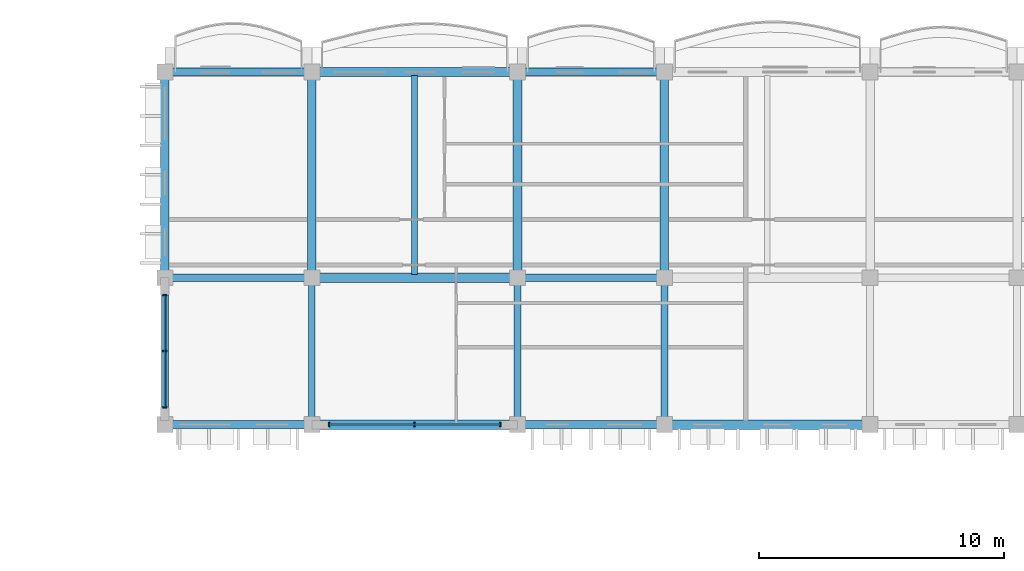
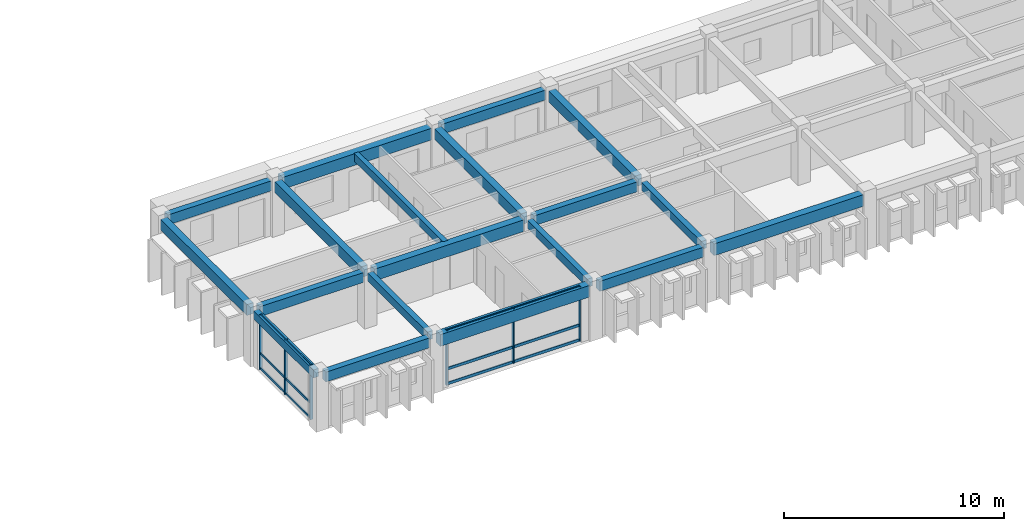
# One storey, part 13 of 79: 19 beams, 12 members, 2 elements without a shape of their own.
"""IFC4 building model written with IfcOpenShell, lengths in metres."""

from ifc_helpers import new_model, si_unit, direction, frame, origin, origin_2d, place, context, subcontext, project, spatial, rectangle, extrude, material, material_profile, profile_set, type_object, element, aggregate, save


model = new_model("IFC4")

# Units and contexts
model_context = context("Model", 3, precision=1e-05, world=origin(), true_north=direction((0.0, 1.0)))
body_context = subcontext(model_context, "Body", "Model", "MODEL_VIEW")
ifc_project = project(units=[si_unit("LENGTHUNIT", "METRE"), si_unit("AREAUNIT", "SQUARE_METRE"), si_unit("VOLUMEUNIT", "CUBIC_METRE"), si_unit("PLANEANGLEUNIT", "RADIAN"), si_unit("MASSUNIT", "GRAM", prefix="KILO"), si_unit("THERMODYNAMICTEMPERATUREUNIT", "KELVIN")], contexts=[model_context])

# Site, building, storey
site_placement = place(None, origin())
site = spatial("IfcSite", under=ifc_project, at=site_placement, CompositionType="ELEMENT")
building_placement = place(site_placement, origin())
building = spatial("IfcBuilding", under=site, at=building_placement, Name="Thalorik Housing Commons", CompositionType="ELEMENT")
storey_placement = place(building_placement, frame((0.0, 0.0, 11.39990234375)))
storey = spatial("IfcBuildingStorey", under=building, at=storey_placement, Name="L03", CompositionType="ELEMENT", Elevation=11.39990234375)

# Curtain wall, members
ifc_material_1 = material(Name="Anodised aluminium and solar-control low-E glass", Category="aluminium")
curtain_wall_type = type_object("IfcCurtainWallType", Name="ARC-CW-LOUNGE", PredefinedType="USERDEFINED", material=ifc_material_1)
curtain_wall_1_placement = place(storey_placement, origin())
curtain_wall_1 = element("IfcCurtainWall", 1, at=curtain_wall_1_placement, inside=storey, type_object=curtain_wall_type, Name="L03 Curtain Wall CW-RES-L03-B-084", ObjectType="CURTAIN WALL", PredefinedType="USERDEFINED")
ifc_material_2 = material(Name="Anodised aluminium 6063-T6", Category="aluminium")
ifc_material_profile_1 = material_profile(ifc_material_2, rectangle(XDim=0.06005859375, YDim=0.159912109375, at=origin_2d()), Name="ALU MUL 60x160", Category="aluminium")
ifc_profile_set_1 = profile_set([ifc_material_profile_1], Name="Anodised aluminium 6063-T6")
member_type_1 = type_object("IfcMemberType", Name="ARC-CW-MUL-60x160", PredefinedType="MULLION", material=ifc_profile_set_1)
member_1_placement = place(storey_placement, frame((80.39990234375, 114.5, 0.0), z_axis=(0.0, 0.0, 1.0), x_axis=(0.0, -1.0, 0.0)))
member_1 = element("IfcMember", 2, at=member_1_placement, type_object=member_type_1, Name="CW-RES-L03-B-084 Mullion 1", PredefinedType="MULLION", context=body_context, shape_type="SweptSolid", body=[
    extrude(rectangle(XDim=0.06005859375, YDim=0.159912109375, at=origin_2d()), origin(), (0.0, 0.0, 1.0), 3.0400390625),
])
member_2_placement = place(storey_placement, frame((80.39990234375, 112.199951171875, 0.0), z_axis=(0.0, 0.0, 1.0), x_axis=(0.0, -1.0, 0.0)))
member_2 = element("IfcMember", 3, at=member_2_placement, type_object=member_type_1, Name="CW-RES-L03-B-084 Mullion 2", PredefinedType="MULLION", context=body_context, shape_type="SweptSolid", body=[
    extrude(rectangle(XDim=0.06005859375, YDim=0.159912109375, at=origin_2d()), origin(), (0.0, 0.0, 1.0), 3.0400390625),
])
member_3_placement = place(storey_placement, frame((80.39990234375, 109.89990234375, 0.0), z_axis=(0.0, 0.0, 1.0), x_axis=(0.0, -1.0, 0.0)))
member_3 = element("IfcMember", 4, at=member_3_placement, type_object=member_type_1, Name="CW-RES-L03-B-084 Mullion 3", PredefinedType="MULLION", context=body_context, shape_type="SweptSolid", body=[
    extrude(rectangle(XDim=0.06005859375, YDim=0.159912109375, at=origin_2d()), origin(), (0.0, 0.0, 1.0), 3.0400390625),
])

curtain_wall_2_placement = place(storey_placement, origin())
curtain_wall_2 = element("IfcCurtainWall", 5, at=curtain_wall_2_placement, inside=storey, type_object=curtain_wall_type, Name="L03 Curtain Wall CW-RES-L03-B-085", ObjectType="CURTAIN WALL", PredefinedType="USERDEFINED")
ifc_material_profile_2 = material_profile(ifc_material_2, rectangle(XDim=0.06494140625, YDim=0.179931640625, at=origin_2d()), Name="ALU MUL 65x180", Category="aluminium")
ifc_profile_set_2 = profile_set([ifc_material_profile_2], Name="Anodised aluminium 6063-T6")
member_type_2 = type_object("IfcMemberType", Name="ARC-CW-MUL-65x180", PredefinedType="MULLION", material=ifc_profile_set_2)
member_4_placement = place(storey_placement, frame((87.10009765625, 109.199951171875, 0.0), z_axis=(0.0, 0.0, 1.0), x_axis=(1.0, 0.0, 0.0)))
member_4 = element("IfcMember", 6, at=member_4_placement, type_object=member_type_2, Name="CW-RES-L03-B-085 Mullion 1", PredefinedType="MULLION", context=body_context, shape_type="SweptSolid", body=[
    extrude(rectangle(XDim=0.06494140625, YDim=0.179931640625, at=origin_2d()), origin(), (0.0, 0.0, 1.0), 3.0400390625),
])
member_5_placement = place(storey_placement, frame((90.60009765625, 109.199951171875, 0.0), z_axis=(0.0, 0.0, 1.0), x_axis=(1.0, 0.0, 0.0)))
member_5 = element("IfcMember", 7, at=member_5_placement, type_object=member_type_2, Name="CW-RES-L03-B-085 Mullion 2", PredefinedType="MULLION", context=body_context, shape_type="SweptSolid", body=[
    extrude(rectangle(XDim=0.06494140625, YDim=0.179931640625, at=origin_2d()), origin(), (0.0, 0.0, 1.0), 3.0400390625),
])
member_6_placement = place(storey_placement, frame((94.10009765625, 109.199951171875, 0.0), z_axis=(0.0, 0.0, 1.0), x_axis=(1.0, 0.0, 0.0)))
member_6 = element("IfcMember", 8, at=member_6_placement, type_object=member_type_2, Name="CW-RES-L03-B-085 Mullion 3", PredefinedType="MULLION", context=body_context, shape_type="SweptSolid", body=[
    extrude(rectangle(XDim=0.06494140625, YDim=0.179931640625, at=origin_2d()), origin(), (0.0, 0.0, 1.0), 3.0400390625),
])

# Member
ifc_material_profile_3 = material_profile(ifc_material_2, rectangle(XDim=0.06005859375, YDim=0.1201171875, at=origin_2d()), Name="ALU TRN 60x120", Category="aluminium")
ifc_profile_set_3 = profile_set([ifc_material_profile_3], Name="Anodised aluminium 6063-T6")
member_type_3 = type_object("IfcMemberType", Name="ARC-CW-TRN-60x120", PredefinedType="USERDEFINED", material=ifc_profile_set_3)
member_7_placement = place(storey_placement, frame((80.39990234375, 114.5, 0.05517578125), z_axis=(0.0, -1.0, 0.0), x_axis=(1.0, 0.0, 0.0)))
member_7 = element("IfcMember", 9, at=member_7_placement, type_object=member_type_3, Name="CW-RES-L03-B-084 Transom 1", ObjectType="TRANSOM", PredefinedType="USERDEFINED", context=body_context, shape_type="SweptSolid", body=[
    extrude(rectangle(XDim=0.06005859375, YDim=0.1201171875, at=origin_2d()), origin(), (0.0, 0.0, 1.0), 4.60009765625),
])

member_8_placement = place(storey_placement, frame((80.39990234375, 114.5, 0.880126953125), z_axis=(0.0, -1.0, 0.0), x_axis=(1.0, 0.0, 0.0)))
member_8 = element("IfcMember", 10, at=member_8_placement, type_object=member_type_3, Name="CW-RES-L03-B-084 Transom 2", ObjectType="TRANSOM", PredefinedType="USERDEFINED", context=body_context, shape_type="SweptSolid", body=[
    extrude(rectangle(XDim=0.06005859375, YDim=0.1201171875, at=origin_2d()), origin(), (0.0, 0.0, 1.0), 4.60009765625),
])

member_9_placement = place(storey_placement, frame((80.39990234375, 114.5, 2.985107421875), z_axis=(0.0, -1.0, 0.0), x_axis=(1.0, 0.0, 0.0)))
member_9 = element("IfcMember", 11, at=member_9_placement, type_object=member_type_3, Name="CW-RES-L03-B-084 Transom 3", ObjectType="TRANSOM", PredefinedType="USERDEFINED", context=body_context, shape_type="SweptSolid", body=[
    extrude(rectangle(XDim=0.06005859375, YDim=0.1201171875, at=origin_2d()), origin(), (0.0, 0.0, 1.0), 4.60009765625),
])

aggregate(curtain_wall_1, [member_1, member_2, member_3, member_7, member_8, member_9])

ifc_material_profile_4 = material_profile(ifc_material_2, rectangle(XDim=0.06494140625, YDim=0.14990234375, at=origin_2d()), Name="ALU TRN 65x150", Category="aluminium")
ifc_profile_set_4 = profile_set([ifc_material_profile_4], Name="Anodised aluminium 6063-T6")
member_type_4 = type_object("IfcMemberType", Name="ARC-CW-TRN-65x150", PredefinedType="USERDEFINED", material=ifc_profile_set_4)
member_10_placement = place(storey_placement, frame((87.10009765625, 109.199951171875, 0.05517578125), z_axis=(1.0, 0.0, 0.0), x_axis=(0.0, 1.0, 0.0)))
member_10 = element("IfcMember", 12, at=member_10_placement, type_object=member_type_4, Name="CW-RES-L03-B-085 Transom 1", ObjectType="TRANSOM", PredefinedType="USERDEFINED", context=body_context, shape_type="SweptSolid", body=[
    extrude(rectangle(XDim=0.06494140625, YDim=0.14990234375, at=origin_2d()), origin(), (0.0, 0.0, 1.0), 7.0),
])

member_11_placement = place(storey_placement, frame((87.10009765625, 109.199951171875, 0.880126953125), z_axis=(1.0, 0.0, 0.0), x_axis=(0.0, 1.0, 0.0)))
member_11 = element("IfcMember", 13, at=member_11_placement, type_object=member_type_4, Name="CW-RES-L03-B-085 Transom 2", ObjectType="TRANSOM", PredefinedType="USERDEFINED", context=body_context, shape_type="SweptSolid", body=[
    extrude(rectangle(XDim=0.06494140625, YDim=0.14990234375, at=origin_2d()), origin(), (0.0, 0.0, 1.0), 7.0),
])

member_12_placement = place(storey_placement, frame((87.10009765625, 109.199951171875, 2.985107421875), z_axis=(1.0, 0.0, 0.0), x_axis=(0.0, 1.0, 0.0)))
member_12 = element("IfcMember", 14, at=member_12_placement, type_object=member_type_4, Name="CW-RES-L03-B-085 Transom 3", ObjectType="TRANSOM", PredefinedType="USERDEFINED", context=body_context, shape_type="SweptSolid", body=[
    extrude(rectangle(XDim=0.06494140625, YDim=0.14990234375, at=origin_2d()), origin(), (0.0, 0.0, 1.0), 7.0),
])

aggregate(curtain_wall_2, [member_4, member_5, member_6, member_10, member_11, member_12])

# Beams
ifc_material_3 = material(Name="Precast concrete C40/50", Category="concrete")
ifc_material_profile_5 = material_profile(ifc_material_3, rectangle(XDim=0.280029296875, YDim=0.449951171875, at=origin_2d()), Name="PC 280x450", Category="concrete")
ifc_profile_set_5 = profile_set([ifc_material_profile_5], Name="Precast concrete C40/50")
beam_type_1 = type_object("IfcBeamType", Name="STR-BM-PC280x450", PredefinedType="BEAM", material=ifc_profile_set_5)
for number, where, z_axis, x_axis, name in (
    (15, (80.39990234375, 109.47509765625, 2.815185546875), (0.0, 1.0, 0.0), (-1.0, 0.0, 0.0), "L03 Beam B-450"),
    (16, (86.39990234375, 109.47509765625, 2.815185546875), (0.0, 1.0, 0.0), (-1.0, 0.0, 0.0), "L03 Beam B-450"),
    (17, (94.800048828125, 109.47509765625, 2.815185546875), (0.0, 1.0, 0.0), (-1.0, 0.0, 0.0), "L03 Beam B-450"),
    (18, (100.800048828125, 109.47509765625, 2.815185546875), (0.0, 1.0, 0.0), (-1.0, 0.0, 0.0), "L03 Beam B-450"),
):
    element("IfcBeam", number, at=place(storey_placement, frame(where, z_axis=z_axis, x_axis=x_axis)), inside=storey, type_object=beam_type_1, Name=name, PredefinedType="BEAM", context=body_context, shape_type="SweptSolid", body=[
        extrude(rectangle(XDim=0.280029296875, YDim=0.449951171875, at=origin_2d()), origin(), (0.0, 0.0, 1.0), 5.449951171875),
    ])
ifc_material_profile_6 = material_profile(ifc_material_3, rectangle(XDim=0.320068359375, YDim=0.550048828125, at=origin_2d()), Name="PC 320x550", Category="concrete")
ifc_profile_set_6 = profile_set([ifc_material_profile_6], Name="Precast concrete C40/50")
beam_type_2 = type_object("IfcBeamType", Name="STR-BM-PC320x550", PredefinedType="BEAM", material=ifc_profile_set_6)
for number, where, z_axis, x_axis, name in (
    (19, (80.675048828125, 109.199951171875, 2.76513671875), (1.0, 0.0, 0.0), (0.0, 1.0, 0.0), "L03 Beam B-550"),
    (20, (95.074951171875, 109.199951171875, 2.76513671875), (1.0, 0.0, 0.0), (0.0, 1.0, 0.0), "L03 Beam B-550"),
    (21, (80.675048828125, 115.199951171875, 2.76513671875), (1.0, 0.0, 0.0), (0.0, 1.0, 0.0), "L03 Beam B-550"),
    (22, (95.074951171875, 115.199951171875, 2.76513671875), (1.0, 0.0, 0.0), (0.0, 1.0, 0.0), "L03 Beam B-550"),
    (23, (80.675048828125, 123.60009765625, 2.76513671875), (1.0, 0.0, 0.0), (0.0, 1.0, 0.0), "L03 Beam B-550"),
    (24, (95.074951171875, 123.60009765625, 2.76513671875), (1.0, 0.0, 0.0), (0.0, 1.0, 0.0), "L03 Beam B-550"),
):
    element("IfcBeam", number, at=place(storey_placement, frame(where, z_axis=z_axis, x_axis=x_axis)), inside=storey, type_object=beam_type_2, Name=name, PredefinedType="BEAM", context=body_context, shape_type="SweptSolid", body=[
        extrude(rectangle(XDim=0.320068359375, YDim=0.550048828125, at=origin_2d()), origin(), (0.0, 0.0, 1.0), 5.449951171875),
    ])
ifc_material_profile_7 = material_profile(ifc_material_3, rectangle(XDim=0.35009765625, YDim=0.60009765625, at=origin_2d()), Name="PC 350x600", Category="concrete")
ifc_profile_set_7 = profile_set([ifc_material_profile_7], Name="Precast concrete C40/50")
beam_type_3 = type_object("IfcBeamType", Name="STR-BM-PC350x600", PredefinedType="BEAM", material=ifc_profile_set_7)
for number, where, z_axis, x_axis, name in (
    (25, (80.39990234375, 115.47509765625, 2.739990234375), (0.0, 1.0, 0.0), (-1.0, 0.0, 0.0), "L03 Beam B-600"),
    (26, (86.39990234375, 115.47509765625, 2.739990234375), (0.0, 1.0, 0.0), (-1.0, 0.0, 0.0), "L03 Beam B-600"),
    (27, (94.800048828125, 115.47509765625, 2.739990234375), (0.0, 1.0, 0.0), (-1.0, 0.0, 0.0), "L03 Beam B-600"),
    (28, (100.800048828125, 115.47509765625, 2.739990234375), (0.0, 1.0, 0.0), (-1.0, 0.0, 0.0), "L03 Beam B-600"),
):
    element("IfcBeam", number, at=place(storey_placement, frame(where, z_axis=z_axis, x_axis=x_axis)), inside=storey, type_object=beam_type_3, Name=name, PredefinedType="BEAM", context=body_context, shape_type="SweptSolid", body=[
        extrude(rectangle(XDim=0.35009765625, YDim=0.60009765625, at=origin_2d()), origin(), (0.0, 0.0, 1.0), 7.849853515625),
    ])
ifc_material_profile_8 = material_profile(ifc_material_3, rectangle(XDim=0.3798828125, YDim=0.64990234375, at=origin_2d()), Name="PC 380x650", Category="concrete")
ifc_profile_set_8 = profile_set([ifc_material_profile_8], Name="Precast concrete C40/50")
beam_type_4 = type_object("IfcBeamType", Name="STR-BM-PC380x650", PredefinedType="BEAM", material=ifc_profile_set_8)
beam_1_placement = place(storey_placement, frame((86.675048828125, 109.199951171875, 2.715087890625), z_axis=(1.0, 0.0, 0.0), x_axis=(0.0, 1.0, 0.0)))
element("IfcBeam", 29, at=beam_1_placement, inside=storey, type_object=beam_type_4, Name="L03 Beam B-650", PredefinedType="BEAM", context=body_context, shape_type="SweptSolid", body=[
    extrude(rectangle(XDim=0.3798828125, YDim=0.64990234375, at=origin_2d()), origin(), (0.0, 0.0, 1.0), 7.849853515625),
])
beam_2_placement = place(storey_placement, frame((101.074951171875, 109.199951171875, 2.715087890625), z_axis=(1.0, 0.0, 0.0), x_axis=(0.0, 1.0, 0.0)))
element("IfcBeam", 30, at=beam_2_placement, inside=storey, type_object=beam_type_4, Name="L03 Beam B-650", PredefinedType="BEAM", context=body_context, shape_type="SweptSolid", body=[
    extrude(rectangle(XDim=0.3798828125, YDim=0.64990234375, at=origin_2d()), origin(), (0.0, 0.0, 1.0), 7.85009765625),
])
for number, where, z_axis, x_axis, name in (
    (31, (86.675048828125, 115.199951171875, 2.715087890625), (1.0, 0.0, 0.0), (0.0, 1.0, 0.0), "L03 Beam B-650"),
    (32, (86.675048828125, 123.60009765625, 2.715087890625), (1.0, 0.0, 0.0), (0.0, 1.0, 0.0), "L03 Beam B-650"),
):
    element("IfcBeam", number, at=place(storey_placement, frame(where, z_axis=z_axis, x_axis=x_axis)), inside=storey, type_object=beam_type_4, Name=name, PredefinedType="BEAM", context=body_context, shape_type="SweptSolid", body=[
        extrude(rectangle(XDim=0.3798828125, YDim=0.64990234375, at=origin_2d()), origin(), (0.0, 0.0, 1.0), 7.849853515625),
    ])
ifc_material_profile_9 = material_profile(ifc_material_3, rectangle(XDim=0.239990234375, YDim=0.43994140625, at=origin_2d()), Name="PC JST 240x440", Category="concrete")
ifc_profile_set_9 = profile_set([ifc_material_profile_9], Name="Precast concrete C40/50")
beam_type_5 = type_object("IfcBeamType", Name="STR-JST-PC240x440", PredefinedType="JOIST", material=ifc_profile_set_9)
beam_3_placement = place(storey_placement, frame((90.60009765625, 115.340087890625, 2.820068359375), z_axis=(0.0, 1.0, 0.0), x_axis=(-1.0, 0.0, 0.0)))
element("IfcBeam", 33, at=beam_3_placement, inside=storey, type_object=beam_type_5, Name="L03 Beam J-440", PredefinedType="JOIST", context=body_context, shape_type="SweptSolid", body=[
    extrude(rectangle(XDim=0.239990234375, YDim=0.43994140625, at=origin_2d()), origin(), (0.0, 0.0, 1.0), 8.119873046875),
])

save(model, "model.ifc")
